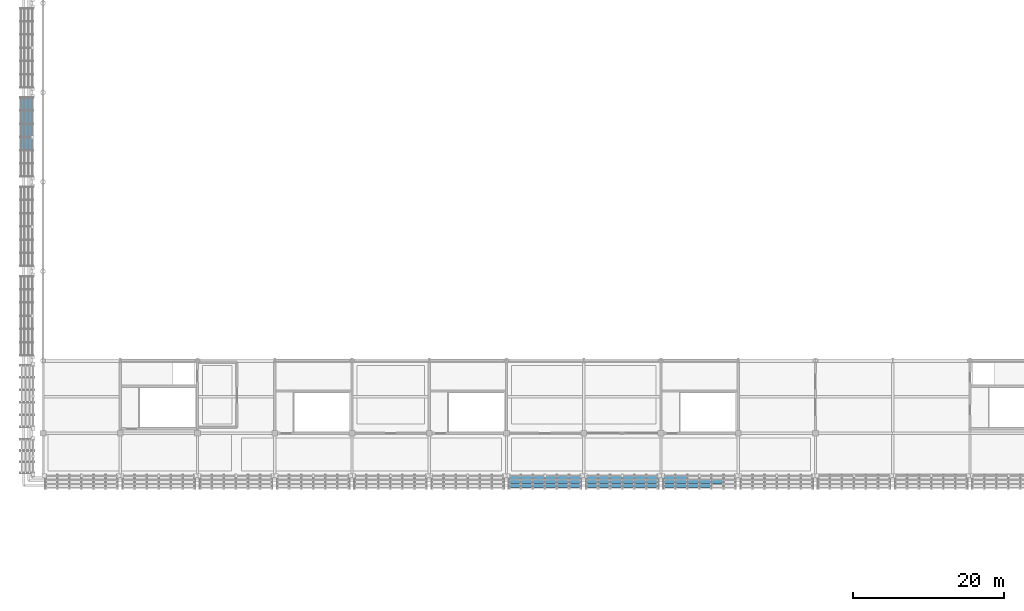
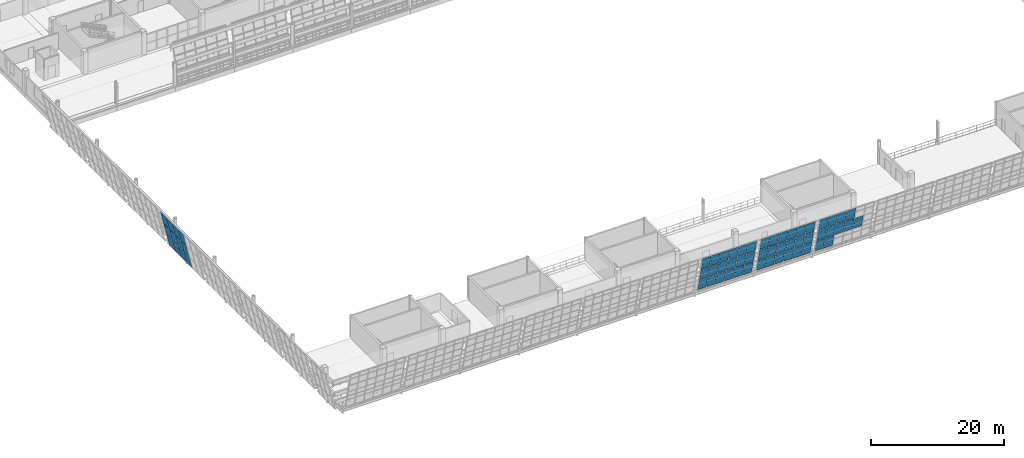
# One storey, part 103 of 157: 59 plates, 4 elements without a shape of their own.
"""IFC4 building model written with IfcOpenShell, lengths in metres."""

from ifc_helpers import new_model, si_unit, direction, frame, origin, place, context, subcontext, project, spatial, polyline, outline, extrude, material, layer, layer_set, type_object, element, aggregate, save


model = new_model("IFC4")

# Units and contexts
model_context = context("Model", 3, precision=1e-05, world=origin(), true_north=direction((0.0, 1.0)))
body_context = subcontext(model_context, "Body", "Model", "MODEL_VIEW")
ifc_project = project(units=[si_unit("LENGTHUNIT", "METRE"), si_unit("AREAUNIT", "SQUARE_METRE"), si_unit("VOLUMEUNIT", "CUBIC_METRE"), si_unit("PLANEANGLEUNIT", "RADIAN"), si_unit("MASSUNIT", "GRAM", prefix="KILO")], contexts=[model_context])

# Site, building, storey
site_placement = place(None, origin())
site = spatial("IfcSite", under=ifc_project, at=site_placement, CompositionType="ELEMENT")
building_placement = place(site_placement, origin())
building = spatial("IfcBuilding", under=site, at=building_placement, Name="Brelvane Convention Centre", CompositionType="ELEMENT")
storey_placement = place(building_placement, frame((0.0, 0.0, 10.800048828125)))
storey = spatial("IfcBuildingStorey", under=building, at=storey_placement, Name="L02", CompositionType="ELEMENT", Elevation=10.800048828125)

# Curtain wall, plates
ifc_material_1 = material(Name="Anodised Aluminium Alloy 6063-T6", Category="aluminium")
curtain_wall_type = type_object("IfcCurtainWallType", Name="Curtain Wall CW-HULL-S", PredefinedType="USERDEFINED", material=ifc_material_1)
curtain_wall_1_placement = place(storey_placement, origin())
curtain_wall_1 = element("IfcCurtainWall", 1, at=curtain_wall_1_placement, inside=storey, type_object=curtain_wall_type, Name="Curtain Wall CW-HULL-S L02-HULL-S-L02-07", ObjectType="UNITISED", PredefinedType="USERDEFINED")
ifc_material_2 = material(Name="Double Glazed Low-E Laminated Unit")
ifc_layer_1 = layer(ifc_material_2, 0.0380859375)
ifc_layer_set_1 = layer_set([ifc_layer_1], Name="Double Glazed Low-E Laminated Unit")
plate_type_1 = type_object("IfcPlateType", Name="Curtain Panel CW-PG2", PredefinedType="CURTAIN_PANEL", material=ifc_layer_set_1)
plate_1_placement = place(storey_placement, frame((61.60009765625, 13.05517578125, 2.3232421875), z_axis=(0.0, 0.973573977576, 0.228371868203), x_axis=(1.0, 0.0, 0.0)))
plate_1 = element("IfcPlate", 2, at=plate_1_placement, type_object=plate_type_1, Name="CW-HULL-S panel 1.2", PredefinedType="CURTAIN_PANEL", context=body_context, shape_type="SweptSolid", body=[
    extrude(outline(polyline([(0.0, 0.0), (1.47314453125, 0.0), (1.47314453125, -2.2631758771022032), (0.0, -2.2631758771022032), (0.0, 0.0)])), origin(), (0.0, 0.0, -1.0), 0.0380859375),
])
plate_2_placement = place(storey_placement, frame((61.60009765625, 12.51953125, 4.606689453125), z_axis=(0.0, 0.973586933466, 0.228316628794), x_axis=(1.0, 0.0, 0.0)))
plate_2 = element("IfcPlate", 3, at=plate_2_placement, type_object=plate_type_1, Name="CW-HULL-S panel 1.3", PredefinedType="CURTAIN_PANEL", context=body_context, shape_type="SweptSolid", body=[
    extrude(outline(polyline([(0.0, 0.0), (1.47314453125, 0.0), (1.47314453125, -2.2220204521674902), (0.0, -2.2220204521674902), (0.0, 0.0)])), origin(), (0.0, 0.0, -1.0), 0.0380859375),
])
plate_3_placement = place(storey_placement, frame((63.1533203125, 13.05517578125, 2.3232421875), z_axis=(0.0, 0.973573977576, 0.228371868203), x_axis=(1.0, 0.0, 0.0)))
plate_3 = element("IfcPlate", 4, at=plate_3_placement, type_object=plate_type_1, Name="CW-HULL-S panel 2.2", PredefinedType="CURTAIN_PANEL", context=body_context, shape_type="SweptSolid", body=[
    extrude(outline(polyline([(0.0, 0.0), (1.513427734375, 0.0), (1.513427734375, -2.2631758771022032), (0.0, -2.2631758771022032), (0.0, 0.0)])), origin(), (0.0, 0.0, -1.0), 0.0380859375),
])
plate_4_placement = place(storey_placement, frame((63.1533203125, 12.51953125, 4.606689453125), z_axis=(0.0, 0.973586933466, 0.228316628794), x_axis=(1.0, 0.0, 0.0)))
plate_4 = element("IfcPlate", 5, at=plate_4_placement, type_object=plate_type_1, Name="CW-HULL-S panel 2.3", PredefinedType="CURTAIN_PANEL", context=body_context, shape_type="SweptSolid", body=[
    extrude(outline(polyline([(0.0, 0.0), (1.513427734375, 0.0), (1.513427734375, -2.2220204521674902), (0.0, -2.2220204521674902), (0.0, 0.0)])), origin(), (0.0, 0.0, -1.0), 0.0380859375),
])
plate_5_placement = place(storey_placement, frame((64.74658203125, 13.05517578125, 2.3232421875), z_axis=(0.0, 0.973573977576, 0.228371868203), x_axis=(1.0, 0.0, 0.0)))
plate_5 = element("IfcPlate", 6, at=plate_5_placement, type_object=plate_type_1, Name="CW-HULL-S panel 3.2", PredefinedType="CURTAIN_PANEL", context=body_context, shape_type="SweptSolid", body=[
    extrude(outline(polyline([(0.0, 0.0), (1.513427734375, 0.0), (1.513427734375, -2.2631758771022032), (0.0, -2.2631758771022032), (0.0, 0.0)])), origin(), (0.0, 0.0, -1.0), 0.0380859375),
])
plate_6_placement = place(storey_placement, frame((64.74658203125, 12.51953125, 4.606689453125), z_axis=(0.0, 0.973586933466, 0.228316628794), x_axis=(1.0, 0.0, 0.0)))
plate_6 = element("IfcPlate", 7, at=plate_6_placement, type_object=plate_type_1, Name="CW-HULL-S panel 3.3", PredefinedType="CURTAIN_PANEL", context=body_context, shape_type="SweptSolid", body=[
    extrude(outline(polyline([(0.0, 0.0), (1.513427734375, 0.0), (1.513427734375, -2.2220204521674902), (0.0, -2.2220204521674902), (0.0, 0.0)])), origin(), (0.0, 0.0, -1.0), 0.0380859375),
])
plate_7_placement = place(storey_placement, frame((66.340087890625, 13.05517578125, 2.3232421875), z_axis=(0.0, 0.973573977576, 0.228371868203), x_axis=(1.0, 0.0, 0.0)))
plate_7 = element("IfcPlate", 8, at=plate_7_placement, type_object=plate_type_1, Name="CW-HULL-S panel 4.2", PredefinedType="CURTAIN_PANEL", context=body_context, shape_type="SweptSolid", body=[
    extrude(outline(polyline([(0.0, 0.0), (1.51318359375, 0.0), (1.51318359375, -2.2631758771022032), (0.0, -2.2631758771022032), (0.0, 0.0)])), origin(), (0.0, 0.0, -1.0), 0.0380859375),
])
plate_8_placement = place(storey_placement, frame((66.340087890625, 12.51953125, 4.606689453125), z_axis=(0.0, 0.973586933466, 0.228316628794), x_axis=(1.0, 0.0, 0.0)))
plate_8 = element("IfcPlate", 9, at=plate_8_placement, type_object=plate_type_1, Name="CW-HULL-S panel 4.3", PredefinedType="CURTAIN_PANEL", context=body_context, shape_type="SweptSolid", body=[
    extrude(outline(polyline([(0.0, 0.0), (1.51318359375, 0.0), (1.51318359375, -2.2220204521674902), (0.0, -2.2220204521674902), (0.0, 0.0)])), origin(), (0.0, 0.0, -1.0), 0.0380859375),
])
plate_9_placement = place(storey_placement, frame((67.933349609375, 13.05517578125, 2.3232421875), z_axis=(0.0, 0.973573977576, 0.228371868203), x_axis=(1.0, 0.0, 0.0)))
plate_9 = element("IfcPlate", 10, at=plate_9_placement, type_object=plate_type_1, Name="CW-HULL-S panel 5.2", PredefinedType="CURTAIN_PANEL", context=body_context, shape_type="SweptSolid", body=[
    extrude(outline(polyline([(0.0, 0.0), (1.513427734375, 0.0), (1.513427734375, -2.2631758771022032), (0.0, -2.2631758771022032), (0.0, 0.0)])), origin(), (0.0, 0.0, -1.0), 0.0380859375),
])
plate_10_placement = place(storey_placement, frame((67.933349609375, 12.51953125, 4.606689453125), z_axis=(0.0, 0.973586933466, 0.228316628794), x_axis=(1.0, 0.0, 0.0)))
plate_10 = element("IfcPlate", 11, at=plate_10_placement, type_object=plate_type_1, Name="CW-HULL-S panel 5.3", PredefinedType="CURTAIN_PANEL", context=body_context, shape_type="SweptSolid", body=[
    extrude(outline(polyline([(0.0, 0.0), (1.513427734375, 0.0), (1.513427734375, -2.2220204521674902), (0.0, -2.2220204521674902), (0.0, 0.0)])), origin(), (0.0, 0.0, -1.0), 0.0380859375),
])
plate_11_placement = place(storey_placement, frame((69.526611328125, 13.05517578125, 2.3232421875), z_axis=(0.0, 0.973573977576, 0.228371868203), x_axis=(1.0, 0.0, 0.0)))
plate_11 = element("IfcPlate", 12, at=plate_11_placement, type_object=plate_type_1, Name="CW-HULL-S panel 6.2", PredefinedType="CURTAIN_PANEL", context=body_context, shape_type="SweptSolid", body=[
    extrude(outline(polyline([(0.0, 0.0), (1.473388671875, 0.0), (1.473388671875, -2.2631758771022032), (0.0, -2.2631758771022032), (0.0, 0.0)])), origin(), (0.0, 0.0, -1.0), 0.0380859375),
])
plate_12_placement = place(storey_placement, frame((69.526611328125, 12.51953125, 4.606689453125), z_axis=(0.0, 0.973586933466, 0.228316628794), x_axis=(1.0, 0.0, 0.0)))
plate_12 = element("IfcPlate", 13, at=plate_12_placement, type_object=plate_type_1, Name="CW-HULL-S panel 6.3", PredefinedType="CURTAIN_PANEL", context=body_context, shape_type="SweptSolid", body=[
    extrude(outline(polyline([(0.0, 0.0), (1.473388671875, 0.0), (1.473388671875, -2.2220204521674902), (0.0, -2.2220204521674902), (0.0, 0.0)])), origin(), (0.0, 0.0, -1.0), 0.0380859375),
])

curtain_wall_2_placement = place(storey_placement, origin())
curtain_wall_2 = element("IfcCurtainWall", 14, at=curtain_wall_2_placement, inside=storey, type_object=curtain_wall_type, Name="Curtain Wall CW-HULL-S L02-HULL-S-L02-08", ObjectType="UNITISED", PredefinedType="USERDEFINED")
plate_13_placement = place(storey_placement, frame((71.800048828125, 13.05517578125, 2.3232421875), z_axis=(0.0, 0.973573977576, 0.228371868203), x_axis=(1.0, 0.0, 0.0)))
plate_13 = element("IfcPlate", 15, at=plate_13_placement, type_object=plate_type_1, Name="CW-HULL-S panel 1.2", PredefinedType="CURTAIN_PANEL", context=body_context, shape_type="SweptSolid", body=[
    extrude(outline(polyline([(0.0, 0.0), (1.473388671875, 0.0), (1.473388671875, -2.2631758771022032), (0.0, -2.2631758771022032), (0.0, 0.0)])), origin(), (0.0, 0.0, -1.0), 0.0380859375),
])
plate_14_placement = place(storey_placement, frame((71.800048828125, 12.51953125, 4.606689453125), z_axis=(0.0, 0.973586933466, 0.228316628794), x_axis=(1.0, 0.0, 0.0)))
plate_14 = element("IfcPlate", 16, at=plate_14_placement, type_object=plate_type_1, Name="CW-HULL-S panel 1.3", PredefinedType="CURTAIN_PANEL", context=body_context, shape_type="SweptSolid", body=[
    extrude(outline(polyline([(0.0, 0.0), (1.473388671875, 0.0), (1.473388671875, -2.2220204521674902), (0.0, -2.2220204521674902), (0.0, 0.0)])), origin(), (0.0, 0.0, -1.0), 0.0380859375),
])
plate_15_placement = place(storey_placement, frame((73.353271484375, 13.05517578125, 2.3232421875), z_axis=(0.0, 0.973573977576, 0.228371868203), x_axis=(1.0, 0.0, 0.0)))
plate_15 = element("IfcPlate", 17, at=plate_15_placement, type_object=plate_type_1, Name="CW-HULL-S panel 2.2", PredefinedType="CURTAIN_PANEL", context=body_context, shape_type="SweptSolid", body=[
    extrude(outline(polyline([(0.0, 0.0), (1.513427734375, 0.0), (1.513427734375, -2.2631758771022032), (0.0, -2.2631758771022032), (0.0, 0.0)])), origin(), (0.0, 0.0, -1.0), 0.0380859375),
])
plate_16_placement = place(storey_placement, frame((73.353271484375, 12.51953125, 4.606689453125), z_axis=(0.0, 0.973586933466, 0.228316628794), x_axis=(1.0, 0.0, 0.0)))
plate_16 = element("IfcPlate", 18, at=plate_16_placement, type_object=plate_type_1, Name="CW-HULL-S panel 2.3", PredefinedType="CURTAIN_PANEL", context=body_context, shape_type="SweptSolid", body=[
    extrude(outline(polyline([(0.0, 0.0), (1.513427734375, 0.0), (1.513427734375, -2.2220204521674902), (0.0, -2.2220204521674902), (0.0, 0.0)])), origin(), (0.0, 0.0, -1.0), 0.0380859375),
])
plate_17_placement = place(storey_placement, frame((74.94677734375, 13.05517578125, 2.3232421875), z_axis=(0.0, 0.973573977576, 0.228371868203), x_axis=(1.0, 0.0, 0.0)))
plate_17 = element("IfcPlate", 19, at=plate_17_placement, type_object=plate_type_1, Name="CW-HULL-S panel 3.2", PredefinedType="CURTAIN_PANEL", context=body_context, shape_type="SweptSolid", body=[
    extrude(outline(polyline([(0.0, 0.0), (1.51318359375, 0.0), (1.51318359375, -2.2631758771022032), (0.0, -2.2631758771022032), (0.0, 0.0)])), origin(), (0.0, 0.0, -1.0), 0.0380859375),
])
plate_18_placement = place(storey_placement, frame((74.94677734375, 12.51953125, 4.606689453125), z_axis=(0.0, 0.973586933466, 0.228316628794), x_axis=(1.0, 0.0, 0.0)))
plate_18 = element("IfcPlate", 20, at=plate_18_placement, type_object=plate_type_1, Name="CW-HULL-S panel 3.3", PredefinedType="CURTAIN_PANEL", context=body_context, shape_type="SweptSolid", body=[
    extrude(outline(polyline([(0.0, 0.0), (1.51318359375, 0.0), (1.51318359375, -2.2220204521674902), (0.0, -2.2220204521674902), (0.0, 0.0)])), origin(), (0.0, 0.0, -1.0), 0.0380859375),
])
plate_19_placement = place(storey_placement, frame((76.5400390625, 13.05517578125, 2.3232421875), z_axis=(0.0, 0.973573977576, 0.228371868203), x_axis=(1.0, 0.0, 0.0)))
plate_19 = element("IfcPlate", 21, at=plate_19_placement, type_object=plate_type_1, Name="CW-HULL-S panel 4.2", PredefinedType="CURTAIN_PANEL", context=body_context, shape_type="SweptSolid", body=[
    extrude(outline(polyline([(0.0, 0.0), (1.51318359375, 0.0), (1.51318359375, -2.2631758771022032), (0.0, -2.2631758771022032), (0.0, 0.0)])), origin(), (0.0, 0.0, -1.0), 0.0380859375),
])
plate_20_placement = place(storey_placement, frame((76.5400390625, 12.51953125, 4.606689453125), z_axis=(0.0, 0.973586933466, 0.228316628794), x_axis=(1.0, 0.0, 0.0)))
plate_20 = element("IfcPlate", 22, at=plate_20_placement, type_object=plate_type_1, Name="CW-HULL-S panel 4.3", PredefinedType="CURTAIN_PANEL", context=body_context, shape_type="SweptSolid", body=[
    extrude(outline(polyline([(0.0, 0.0), (1.51318359375, 0.0), (1.51318359375, -2.2220204521674902), (0.0, -2.2220204521674902), (0.0, 0.0)])), origin(), (0.0, 0.0, -1.0), 0.0380859375),
])
plate_21_placement = place(storey_placement, frame((78.13330078125, 13.05517578125, 2.3232421875), z_axis=(0.0, 0.973573977576, 0.228371868203), x_axis=(1.0, 0.0, 0.0)))
plate_21 = element("IfcPlate", 23, at=plate_21_placement, type_object=plate_type_1, Name="CW-HULL-S panel 5.2", PredefinedType="CURTAIN_PANEL", context=body_context, shape_type="SweptSolid", body=[
    extrude(outline(polyline([(0.0, 0.0), (1.513427734375, 0.0), (1.513427734375, -2.2631758771022032), (0.0, -2.2631758771022032), (0.0, 0.0)])), origin(), (0.0, 0.0, -1.0), 0.0380859375),
])
plate_22_placement = place(storey_placement, frame((78.13330078125, 12.51953125, 4.606689453125), z_axis=(0.0, 0.973586933466, 0.228316628794), x_axis=(1.0, 0.0, 0.0)))
plate_22 = element("IfcPlate", 24, at=plate_22_placement, type_object=plate_type_1, Name="CW-HULL-S panel 5.3", PredefinedType="CURTAIN_PANEL", context=body_context, shape_type="SweptSolid", body=[
    extrude(outline(polyline([(0.0, 0.0), (1.513427734375, 0.0), (1.513427734375, -2.2220204521674902), (0.0, -2.2220204521674902), (0.0, 0.0)])), origin(), (0.0, 0.0, -1.0), 0.0380859375),
])
plate_23_placement = place(storey_placement, frame((79.7265625, 13.05517578125, 2.3232421875), z_axis=(0.0, 0.973573977576, 0.228371868203), x_axis=(1.0, 0.0, 0.0)))
plate_23 = element("IfcPlate", 25, at=plate_23_placement, type_object=plate_type_1, Name="CW-HULL-S panel 6.2", PredefinedType="CURTAIN_PANEL", context=body_context, shape_type="SweptSolid", body=[
    extrude(outline(polyline([(0.0, 0.0), (1.473388671875, 0.0), (1.473388671875, -2.2631758771022032), (0.0, -2.2631758771022032), (0.0, 0.0)])), origin(), (0.0, 0.0, -1.0), 0.0380859375),
])
plate_24_placement = place(storey_placement, frame((79.7265625, 12.51953125, 4.606689453125), z_axis=(0.0, 0.973586933466, 0.228316628794), x_axis=(1.0, 0.0, 0.0)))
plate_24 = element("IfcPlate", 26, at=plate_24_placement, type_object=plate_type_1, Name="CW-HULL-S panel 6.3", PredefinedType="CURTAIN_PANEL", context=body_context, shape_type="SweptSolid", body=[
    extrude(outline(polyline([(0.0, 0.0), (1.473388671875, 0.0), (1.473388671875, -2.2220204521674902), (0.0, -2.2220204521674902), (0.0, 0.0)])), origin(), (0.0, 0.0, -1.0), 0.0380859375),
])

curtain_wall_3_placement = place(storey_placement, origin())
curtain_wall_3 = element("IfcCurtainWall", 27, at=curtain_wall_3_placement, inside=storey, type_object=curtain_wall_type, Name="Curtain Wall CW-HULL-S L02-HULL-S-L02-09", ObjectType="UNITISED", PredefinedType="USERDEFINED")
plate_25_placement = place(storey_placement, frame((82.0, 13.05517578125, 2.3232421875), z_axis=(0.0, 0.973573977576, 0.228371868203), x_axis=(1.0, 0.0, 0.0)))
plate_25 = element("IfcPlate", 28, at=plate_25_placement, type_object=plate_type_1, Name="CW-HULL-S panel 1.2", PredefinedType="CURTAIN_PANEL", context=body_context, shape_type="SweptSolid", body=[
    extrude(outline(polyline([(0.0, 0.0), (1.473388671875, 0.0), (1.473388671875, -2.2631758771022032), (0.0, -2.2631758771022032), (0.0, 0.0)])), origin(), (0.0, 0.0, -1.0), 0.0380859375),
])
plate_26_placement = place(storey_placement, frame((82.0, 12.51953125, 4.606689453125), z_axis=(0.0, 0.973586933466, 0.228316628794), x_axis=(1.0, 0.0, 0.0)))
plate_26 = element("IfcPlate", 29, at=plate_26_placement, type_object=plate_type_1, Name="CW-HULL-S panel 1.3", PredefinedType="CURTAIN_PANEL", context=body_context, shape_type="SweptSolid", body=[
    extrude(outline(polyline([(0.0, 0.0), (1.473388671875, 0.0), (1.473388671875, -2.2220204521674902), (0.0, -2.2220204521674902), (0.0, 0.0)])), origin(), (0.0, 0.0, -1.0), 0.0380859375),
])
plate_27_placement = place(storey_placement, frame((83.55322265625, 13.05517578125, 2.3232421875), z_axis=(0.0, 0.973573977576, 0.228371868203), x_axis=(1.0, 0.0, 0.0)))
plate_27 = element("IfcPlate", 30, at=plate_27_placement, type_object=plate_type_1, Name="CW-HULL-S panel 2.2", PredefinedType="CURTAIN_PANEL", context=body_context, shape_type="SweptSolid", body=[
    extrude(outline(polyline([(0.0, 0.0), (1.513427734375, 0.0), (1.513427734375, -2.2631758771022032), (0.0, -2.2631758771022032), (0.0, 0.0)])), origin(), (0.0, 0.0, -1.0), 0.0380859375),
])
plate_28_placement = place(storey_placement, frame((83.55322265625, 12.51953125, 4.606689453125), z_axis=(0.0, 0.973586933466, 0.228316628794), x_axis=(1.0, 0.0, 0.0)))
plate_28 = element("IfcPlate", 31, at=plate_28_placement, type_object=plate_type_1, Name="CW-HULL-S panel 2.3", PredefinedType="CURTAIN_PANEL", context=body_context, shape_type="SweptSolid", body=[
    extrude(outline(polyline([(0.0, 0.0), (1.513427734375, 0.0), (1.513427734375, -2.2220204521674902), (0.0, -2.2220204521674902), (0.0, 0.0)])), origin(), (0.0, 0.0, -1.0), 0.0380859375),
])
plate_29_placement = place(storey_placement, frame((85.146728515625, 13.05517578125, 2.3232421875), z_axis=(0.0, 0.973573977576, 0.228371868203), x_axis=(1.0, 0.0, 0.0)))
plate_29 = element("IfcPlate", 32, at=plate_29_placement, type_object=plate_type_1, Name="CW-HULL-S panel 3.2", PredefinedType="CURTAIN_PANEL", context=body_context, shape_type="SweptSolid", body=[
    extrude(outline(polyline([(0.0, 0.0), (1.51318359375, 0.0), (1.51318359375, -2.2631758771022032), (0.0, -2.2631758771022032), (0.0, 0.0)])), origin(), (0.0, 0.0, -1.0), 0.0380859375),
])
plate_30_placement = place(storey_placement, frame((85.146728515625, 12.51953125, 4.606689453125), z_axis=(0.0, 0.973586933466, 0.228316628794), x_axis=(1.0, 0.0, 0.0)))
plate_30 = element("IfcPlate", 33, at=plate_30_placement, type_object=plate_type_1, Name="CW-HULL-S panel 3.3", PredefinedType="CURTAIN_PANEL", context=body_context, shape_type="SweptSolid", body=[
    extrude(outline(polyline([(0.0, 0.0), (1.51318359375, 0.0), (1.51318359375, -2.2220204521674902), (0.0, -2.2220204521674902), (0.0, 0.0)])), origin(), (0.0, 0.0, -1.0), 0.0380859375),
])
plate_31_placement = place(storey_placement, frame((86.739990234375, 13.05517578125, 2.3232421875), z_axis=(0.0, 0.973573977576, 0.228371868203), x_axis=(1.0, 0.0, 0.0)))
plate_31 = element("IfcPlate", 34, at=plate_31_placement, type_object=plate_type_1, Name="CW-HULL-S panel 4.2", PredefinedType="CURTAIN_PANEL", context=body_context, shape_type="SweptSolid", body=[
    extrude(outline(polyline([(0.0, 0.0), (1.513427734375, 0.0), (1.513427734375, -2.2631758771022032), (0.0, -2.2631758771022032), (0.0, 0.0)])), origin(), (0.0, 0.0, -1.0), 0.0380859375),
])
plate_32_placement = place(storey_placement, frame((86.739990234375, 12.51953125, 4.606689453125), z_axis=(0.0, 0.973586933466, 0.228316628794), x_axis=(1.0, 0.0, 0.0)))
plate_32 = element("IfcPlate", 35, at=plate_32_placement, type_object=plate_type_1, Name="CW-HULL-S panel 4.3", PredefinedType="CURTAIN_PANEL", context=body_context, shape_type="SweptSolid", body=[
    extrude(outline(polyline([(0.0, 0.0), (1.513427734375, 0.0), (1.513427734375, -2.2220204521674902), (0.0, -2.2220204521674902), (0.0, 0.0)])), origin(), (0.0, 0.0, -1.0), 0.0380859375),
])
plate_33_placement = place(storey_placement, frame((88.333251953125, 13.05517578125, 2.3232421875), z_axis=(0.0, 0.973573977576, 0.228371868203), x_axis=(1.0, 0.0, 0.0)))
plate_33 = element("IfcPlate", 36, at=plate_33_placement, type_object=plate_type_1, Name="CW-HULL-S panel 5.2", PredefinedType="CURTAIN_PANEL", context=body_context, shape_type="SweptSolid", body=[
    extrude(outline(polyline([(0.0, 0.0), (1.513427734375, 0.0), (1.513427734375, -2.2631758771022032), (0.0, -2.2631758771022032), (0.0, 0.0)])), origin(), (0.0, 0.0, -1.0), 0.0380859375),
])

curtain_wall_4_placement = place(storey_placement, origin())
curtain_wall_4 = element("IfcCurtainWall", 37, at=curtain_wall_4_placement, inside=storey, type_object=curtain_wall_type, Name="Curtain Wall CW-HULL-S L02-HULL-W-L02-3", ObjectType="UNITISED", PredefinedType="USERDEFINED")
plate_34_placement = place(storey_placement, frame((-1.89599609375, 56.58740234375, 2.284912109375), z_axis=(0.973585642401, 0.0, 0.228322134079), x_axis=(0.0, 1.0, 0.0)))
plate_34 = element("IfcPlate", 38, at=plate_34_placement, type_object=plate_type_1, Name="CW-HULL-S panel 3.2", PredefinedType="CURTAIN_PANEL", context=body_context, shape_type="SweptSolid", body=[
    extrude(outline(polyline([(0.0, 0.0), (1.675048828125, 0.0), (1.675048828125, 2.2390753783596367), (0.0, 2.2390753783596367), (0.0, 0.0)])), origin(), (0.0, 0.0, -1.0), 0.0380859375),
])
plate_35_placement = place(storey_placement, frame((-2.423583984375, 56.58740234375, 4.534912109375), z_axis=(0.973572440639, 0.0, 0.228378420232), x_axis=(0.0, 1.0, 0.0)))
plate_35 = element("IfcPlate", 39, at=plate_35_placement, type_object=plate_type_1, Name="CW-HULL-S panel 3.3", PredefinedType="CURTAIN_PANEL", context=body_context, shape_type="SweptSolid", body=[
    extrude(outline(polyline([(0.0, 0.0), (1.675048828125, 0.0), (1.675048828125, 2.203245944227275), (0.0, 2.203245944227275), (0.0, 0.0)])), origin(), (0.0, 0.0, -1.0), 0.0380859375),
])
plate_36_placement = place(storey_placement, frame((-1.89599609375, 58.33740234375, 2.284912109375), z_axis=(0.973585642401, 0.0, 0.228322134079), x_axis=(0.0, 1.0, 0.0)))
plate_36 = element("IfcPlate", 40, at=plate_36_placement, type_object=plate_type_1, Name="CW-HULL-S panel 4.2", PredefinedType="CURTAIN_PANEL", context=body_context, shape_type="SweptSolid", body=[
    extrude(outline(polyline([(0.0, 0.0), (1.675048828125, 0.0), (1.675048828125, 2.2390753783596367), (0.0, 2.2390753783596367), (0.0, 0.0)])), origin(), (0.0, 0.0, -1.0), 0.0380859375),
])
plate_37_placement = place(storey_placement, frame((-2.423583984375, 58.33740234375, 4.534912109375), z_axis=(0.973572440639, 0.0, 0.228378420232), x_axis=(0.0, 1.0, 0.0)))
plate_37 = element("IfcPlate", 41, at=plate_37_placement, type_object=plate_type_1, Name="CW-HULL-S panel 4.3", PredefinedType="CURTAIN_PANEL", context=body_context, shape_type="SweptSolid", body=[
    extrude(outline(polyline([(0.0, 0.0), (1.675048828125, 0.0), (1.675048828125, 2.203245944227275), (0.0, 2.203245944227275), (0.0, 0.0)])), origin(), (0.0, 0.0, -1.0), 0.0380859375),
])
plate_38_placement = place(storey_placement, frame((-1.89599609375, 60.08740234375, 2.284912109375), z_axis=(0.973585642401, 0.0, 0.228322134079), x_axis=(0.0, 1.0, 0.0)))
plate_38 = element("IfcPlate", 42, at=plate_38_placement, type_object=plate_type_1, Name="CW-HULL-S panel 5.2", PredefinedType="CURTAIN_PANEL", context=body_context, shape_type="SweptSolid", body=[
    extrude(outline(polyline([(0.0, 0.0), (1.675048828125, 0.0), (1.675048828125, 2.2390753783596367), (0.0, 2.2390753783596367), (0.0, 0.0)])), origin(), (0.0, 0.0, -1.0), 0.0380859375),
])
plate_39_placement = place(storey_placement, frame((-2.423583984375, 60.08740234375, 4.534912109375), z_axis=(0.973572440639, 0.0, 0.228378420232), x_axis=(0.0, 1.0, 0.0)))
plate_39 = element("IfcPlate", 43, at=plate_39_placement, type_object=plate_type_1, Name="CW-HULL-S panel 5.3", PredefinedType="CURTAIN_PANEL", context=body_context, shape_type="SweptSolid", body=[
    extrude(outline(polyline([(0.0, 0.0), (1.675048828125, 0.0), (1.675048828125, 2.203245944227275), (0.0, 2.203245944227275), (0.0, 0.0)])), origin(), (0.0, 0.0, -1.0), 0.0380859375),
])
plate_40_placement = place(storey_placement, frame((-1.89599609375, 61.83740234375, 2.284912109375), z_axis=(0.973585642401, 0.0, 0.228322134079), x_axis=(0.0, 1.0, 0.0)))
plate_40 = element("IfcPlate", 44, at=plate_40_placement, type_object=plate_type_1, Name="CW-HULL-S panel 6.2", PredefinedType="CURTAIN_PANEL", context=body_context, shape_type="SweptSolid", body=[
    extrude(outline(polyline([(0.0, 0.0), (1.6376953125, 0.0), (1.6376953125, 2.239075378359636), (0.0, 2.239075378359636), (0.0, 0.0)])), origin(), (0.0, 0.0, -1.0), 0.0380859375),
])
plate_41_placement = place(storey_placement, frame((-2.423583984375, 61.83740234375, 4.534912109375), z_axis=(0.973572440639, 0.0, 0.228378420232), x_axis=(0.0, 1.0, 0.0)))
plate_41 = element("IfcPlate", 45, at=plate_41_placement, type_object=plate_type_1, Name="CW-HULL-S panel 6.3", PredefinedType="CURTAIN_PANEL", context=body_context, shape_type="SweptSolid", body=[
    extrude(outline(polyline([(0.0, 0.0), (1.6376953125, 0.0), (1.6376953125, 2.203245944227275), (0.0, 2.203245944227275), (0.0, 0.0)])), origin(), (0.0, 0.0, -1.0), 0.0380859375),
])

# Plate
ifc_material_3 = material(Name="Patinated Copper-Bronze Alloy C22000")
ifc_layer_2 = layer(ifc_material_3, 0.055908203125)
ifc_layer_set_2 = layer_set([ifc_layer_2], Name="Patinated Copper-Bronze Alloy C22000")
plate_type_2 = type_object("IfcPlateType", Name="Curtain Panel CW-PS2", PredefinedType="CURTAIN_PANEL", material=ifc_layer_set_2)
plate_42_placement = place(storey_placement, frame((61.60009765625, 13.581298828125, 0.079833984375), z_axis=(0.0, 0.973562505213, 0.228420770606), x_axis=(1.0, 0.0, 0.0)))
plate_42 = element("IfcPlate", 46, at=plate_42_placement, type_object=plate_type_2, Name="CW-HULL-S panel 1.1", PredefinedType="CURTAIN_PANEL", context=body_context, shape_type="SweptSolid", body=[
    extrude(outline(polyline([(0.0, 0.0), (1.47314453125, 0.0), (1.47314453125, -2.222076206244725), (0.0, -2.222076206244725), (0.0, 0.0)])), origin(), (0.0, 0.0, -1.0), 0.0380859375),
])

plate_43_placement = place(storey_placement, frame((63.1533203125, 13.581298828125, 0.079833984375), z_axis=(0.0, 0.973562505213, 0.228420770606), x_axis=(1.0, 0.0, 0.0)))
plate_43 = element("IfcPlate", 47, at=plate_43_placement, type_object=plate_type_2, Name="CW-HULL-S panel 2.1", PredefinedType="CURTAIN_PANEL", context=body_context, shape_type="SweptSolid", body=[
    extrude(outline(polyline([(0.0, 0.0), (1.513427734375, 0.0), (1.513427734375, -2.2220762062447244), (0.0, -2.2220762062447244), (0.0, 0.0)])), origin(), (0.0, 0.0, -1.0), 0.0380859375),
])

plate_44_placement = place(storey_placement, frame((64.74658203125, 13.581298828125, 0.079833984375), z_axis=(0.0, 0.973562505213, 0.228420770606), x_axis=(1.0, 0.0, 0.0)))
plate_44 = element("IfcPlate", 48, at=plate_44_placement, type_object=plate_type_2, Name="CW-HULL-S panel 3.1", PredefinedType="CURTAIN_PANEL", context=body_context, shape_type="SweptSolid", body=[
    extrude(outline(polyline([(0.0, 0.0), (1.513427734375, 0.0), (1.513427734375, -2.2220762062447244), (0.0, -2.2220762062447244), (0.0, 0.0)])), origin(), (0.0, 0.0, -1.0), 0.0380859375),
])

plate_45_placement = place(storey_placement, frame((66.340087890625, 13.581298828125, 0.079833984375), z_axis=(0.0, 0.973562505213, 0.228420770606), x_axis=(1.0, 0.0, 0.0)))
plate_45 = element("IfcPlate", 49, at=plate_45_placement, type_object=plate_type_2, Name="CW-HULL-S panel 4.1", PredefinedType="CURTAIN_PANEL", context=body_context, shape_type="SweptSolid", body=[
    extrude(outline(polyline([(0.0, 0.0), (1.51318359375, 0.0), (1.51318359375, -2.2220762062447244), (0.0, -2.2220762062447244), (0.0, 0.0)])), origin(), (0.0, 0.0, -1.0), 0.0380859375),
])

plate_46_placement = place(storey_placement, frame((67.933349609375, 13.581298828125, 0.079833984375), z_axis=(0.0, 0.973562505213, 0.228420770606), x_axis=(1.0, 0.0, 0.0)))
plate_46 = element("IfcPlate", 50, at=plate_46_placement, type_object=plate_type_2, Name="CW-HULL-S panel 5.1", PredefinedType="CURTAIN_PANEL", context=body_context, shape_type="SweptSolid", body=[
    extrude(outline(polyline([(0.0, 0.0), (1.513427734375, 0.0), (1.513427734375, -2.2220762062447244), (0.0, -2.2220762062447244), (0.0, 0.0)])), origin(), (0.0, 0.0, -1.0), 0.0380859375),
])

plate_47_placement = place(storey_placement, frame((69.526611328125, 13.581298828125, 0.079833984375), z_axis=(0.0, 0.973562505213, 0.228420770606), x_axis=(1.0, 0.0, 0.0)))
plate_47 = element("IfcPlate", 51, at=plate_47_placement, type_object=plate_type_2, Name="CW-HULL-S panel 6.1", PredefinedType="CURTAIN_PANEL", context=body_context, shape_type="SweptSolid", body=[
    extrude(outline(polyline([(0.0, 0.0), (1.473388671875, 0.0), (1.473388671875, -2.222076206244725), (0.0, -2.222076206244725), (0.0, 0.0)])), origin(), (0.0, 0.0, -1.0), 0.0380859375),
])

aggregate(curtain_wall_1, [plate_42, plate_1, plate_2, plate_43, plate_3, plate_4, plate_44, plate_5, plate_6, plate_45, plate_7, plate_8, plate_46, plate_9, plate_10, plate_47, plate_11, plate_12])

plate_48_placement = place(storey_placement, frame((71.800048828125, 13.581298828125, 0.079833984375), z_axis=(0.0, 0.973562505213, 0.228420770606), x_axis=(1.0, 0.0, 0.0)))
plate_48 = element("IfcPlate", 52, at=plate_48_placement, type_object=plate_type_2, Name="CW-HULL-S panel 1.1", PredefinedType="CURTAIN_PANEL", context=body_context, shape_type="SweptSolid", body=[
    extrude(outline(polyline([(0.0, 0.0), (1.473388671875, 0.0), (1.473388671875, -2.222076206244725), (0.0, -2.222076206244725), (0.0, 0.0)])), origin(), (0.0, 0.0, -1.0), 0.0380859375),
])

plate_49_placement = place(storey_placement, frame((73.353271484375, 13.581298828125, 0.079833984375), z_axis=(0.0, 0.973562505213, 0.228420770606), x_axis=(1.0, 0.0, 0.0)))
plate_49 = element("IfcPlate", 53, at=plate_49_placement, type_object=plate_type_2, Name="CW-HULL-S panel 2.1", PredefinedType="CURTAIN_PANEL", context=body_context, shape_type="SweptSolid", body=[
    extrude(outline(polyline([(0.0, 0.0), (1.513427734375, 0.0), (1.513427734375, -2.2220762062447244), (0.0, -2.2220762062447244), (0.0, 0.0)])), origin(), (0.0, 0.0, -1.0), 0.0380859375),
])

plate_50_placement = place(storey_placement, frame((74.94677734375, 13.581298828125, 0.079833984375), z_axis=(0.0, 0.973562505213, 0.228420770606), x_axis=(1.0, 0.0, 0.0)))
plate_50 = element("IfcPlate", 54, at=plate_50_placement, type_object=plate_type_2, Name="CW-HULL-S panel 3.1", PredefinedType="CURTAIN_PANEL", context=body_context, shape_type="SweptSolid", body=[
    extrude(outline(polyline([(0.0, 0.0), (1.51318359375, 0.0), (1.51318359375, -2.2220762062447244), (0.0, -2.2220762062447244), (0.0, 0.0)])), origin(), (0.0, 0.0, -1.0), 0.0380859375),
])

plate_51_placement = place(storey_placement, frame((76.5400390625, 13.581298828125, 0.079833984375), z_axis=(0.0, 0.973562505213, 0.228420770606), x_axis=(1.0, 0.0, 0.0)))
plate_51 = element("IfcPlate", 55, at=plate_51_placement, type_object=plate_type_2, Name="CW-HULL-S panel 4.1", PredefinedType="CURTAIN_PANEL", context=body_context, shape_type="SweptSolid", body=[
    extrude(outline(polyline([(0.0, 0.0), (1.51318359375, 0.0), (1.51318359375, -2.2220762062447244), (0.0, -2.2220762062447244), (0.0, 0.0)])), origin(), (0.0, 0.0, -1.0), 0.0380859375),
])

plate_52_placement = place(storey_placement, frame((78.13330078125, 13.581298828125, 0.079833984375), z_axis=(0.0, 0.973562505213, 0.228420770606), x_axis=(1.0, 0.0, 0.0)))
plate_52 = element("IfcPlate", 56, at=plate_52_placement, type_object=plate_type_2, Name="CW-HULL-S panel 5.1", PredefinedType="CURTAIN_PANEL", context=body_context, shape_type="SweptSolid", body=[
    extrude(outline(polyline([(0.0, 0.0), (1.513427734375, 0.0), (1.513427734375, -2.2220762062447244), (0.0, -2.2220762062447244), (0.0, 0.0)])), origin(), (0.0, 0.0, -1.0), 0.0380859375),
])

plate_53_placement = place(storey_placement, frame((79.7265625, 13.581298828125, 0.079833984375), z_axis=(0.0, 0.973562505213, 0.228420770606), x_axis=(1.0, 0.0, 0.0)))
plate_53 = element("IfcPlate", 57, at=plate_53_placement, type_object=plate_type_2, Name="CW-HULL-S panel 6.1", PredefinedType="CURTAIN_PANEL", context=body_context, shape_type="SweptSolid", body=[
    extrude(outline(polyline([(0.0, 0.0), (1.473388671875, 0.0), (1.473388671875, -2.222076206244725), (0.0, -2.222076206244725), (0.0, 0.0)])), origin(), (0.0, 0.0, -1.0), 0.0380859375),
])

aggregate(curtain_wall_2, [plate_48, plate_13, plate_14, plate_49, plate_15, plate_16, plate_50, plate_17, plate_18, plate_51, plate_19, plate_20, plate_52, plate_21, plate_22, plate_53, plate_23, plate_24])

plate_54_placement = place(storey_placement, frame((82.0, 13.581298828125, 0.079833984375), z_axis=(0.0, 0.973562505213, 0.228420770606), x_axis=(1.0, 0.0, 0.0)))
plate_54 = element("IfcPlate", 58, at=plate_54_placement, type_object=plate_type_2, Name="CW-HULL-S panel 1.1", PredefinedType="CURTAIN_PANEL", context=body_context, shape_type="SweptSolid", body=[
    extrude(outline(polyline([(0.0, 0.0), (1.473388671875, 0.0), (1.473388671875, -2.222076206244725), (0.0, -2.222076206244725), (0.0, 0.0)])), origin(), (0.0, 0.0, -1.0), 0.0380859375),
])

plate_55_placement = place(storey_placement, frame((83.55322265625, 13.581298828125, 0.079833984375), z_axis=(0.0, 0.973562505213, 0.228420770606), x_axis=(1.0, 0.0, 0.0)))
plate_55 = element("IfcPlate", 59, at=plate_55_placement, type_object=plate_type_2, Name="CW-HULL-S panel 2.1", PredefinedType="CURTAIN_PANEL", context=body_context, shape_type="SweptSolid", body=[
    extrude(outline(polyline([(0.0, 0.0), (1.513427734375, 0.0), (1.513427734375, -2.2220762062447244), (0.0, -2.2220762062447244), (0.0, 0.0)])), origin(), (0.0, 0.0, -1.0), 0.0380859375),
])

aggregate(curtain_wall_3, [plate_54, plate_25, plate_26, plate_55, plate_27, plate_28, plate_29, plate_30, plate_31, plate_32, plate_33])

plate_56_placement = place(storey_placement, frame((-1.37646484375, 56.58740234375, 0.070068359375), z_axis=(0.973566660245, 0.0, 0.228403060531), x_axis=(0.0, 1.0, 0.0)))
plate_56 = element("IfcPlate", 60, at=plate_56_placement, type_object=plate_type_2, Name="CW-HULL-S panel 3.1", PredefinedType="CURTAIN_PANEL", context=body_context, shape_type="SweptSolid", body=[
    extrude(outline(polyline([(0.0, 0.0), (1.675048828125, 0.0), (1.675048828125, 2.2030082563487112), (0.0, 2.2030082563487112), (0.0, 0.0)])), origin(), (0.0, 0.0, -1.0), 0.0380859375),
])

plate_57_placement = place(storey_placement, frame((-1.37646484375, 58.33740234375, 0.070068359375), z_axis=(0.973566660245, 0.0, 0.228403060531), x_axis=(0.0, 1.0, 0.0)))
plate_57 = element("IfcPlate", 61, at=plate_57_placement, type_object=plate_type_2, Name="CW-HULL-S panel 4.1", PredefinedType="CURTAIN_PANEL", context=body_context, shape_type="SweptSolid", body=[
    extrude(outline(polyline([(0.0, 0.0), (1.675048828125, 0.0), (1.675048828125, 2.2030082563487112), (0.0, 2.2030082563487112), (0.0, 0.0)])), origin(), (0.0, 0.0, -1.0), 0.0380859375),
])

plate_58_placement = place(storey_placement, frame((-1.37646484375, 60.08740234375, 0.070068359375), z_axis=(0.973566660245, 0.0, 0.228403060531), x_axis=(0.0, 1.0, 0.0)))
plate_58 = element("IfcPlate", 62, at=plate_58_placement, type_object=plate_type_2, Name="CW-HULL-S panel 5.1", PredefinedType="CURTAIN_PANEL", context=body_context, shape_type="SweptSolid", body=[
    extrude(outline(polyline([(0.0, 0.0), (1.675048828125, 0.0), (1.675048828125, 2.2030082563487112), (0.0, 2.2030082563487112), (0.0, 0.0)])), origin(), (0.0, 0.0, -1.0), 0.0380859375),
])

plate_59_placement = place(storey_placement, frame((-1.37646484375, 61.83740234375, 0.070068359375), z_axis=(0.973566660245, 0.0, 0.228403060531), x_axis=(0.0, 1.0, 0.0)))
plate_59 = element("IfcPlate", 63, at=plate_59_placement, type_object=plate_type_2, Name="CW-HULL-S panel 6.1", PredefinedType="CURTAIN_PANEL", context=body_context, shape_type="SweptSolid", body=[
    extrude(outline(polyline([(0.0, 0.0), (1.6376953125, 0.0), (1.6376953125, 2.203008256348711), (0.0, 2.203008256348711), (0.0, 0.0)])), origin(), (0.0, 0.0, -1.0), 0.0380859375),
])

aggregate(curtain_wall_4, [plate_56, plate_34, plate_35, plate_57, plate_36, plate_37, plate_58, plate_38, plate_39, plate_59, plate_40, plate_41])

save(model, "model.ifc")
